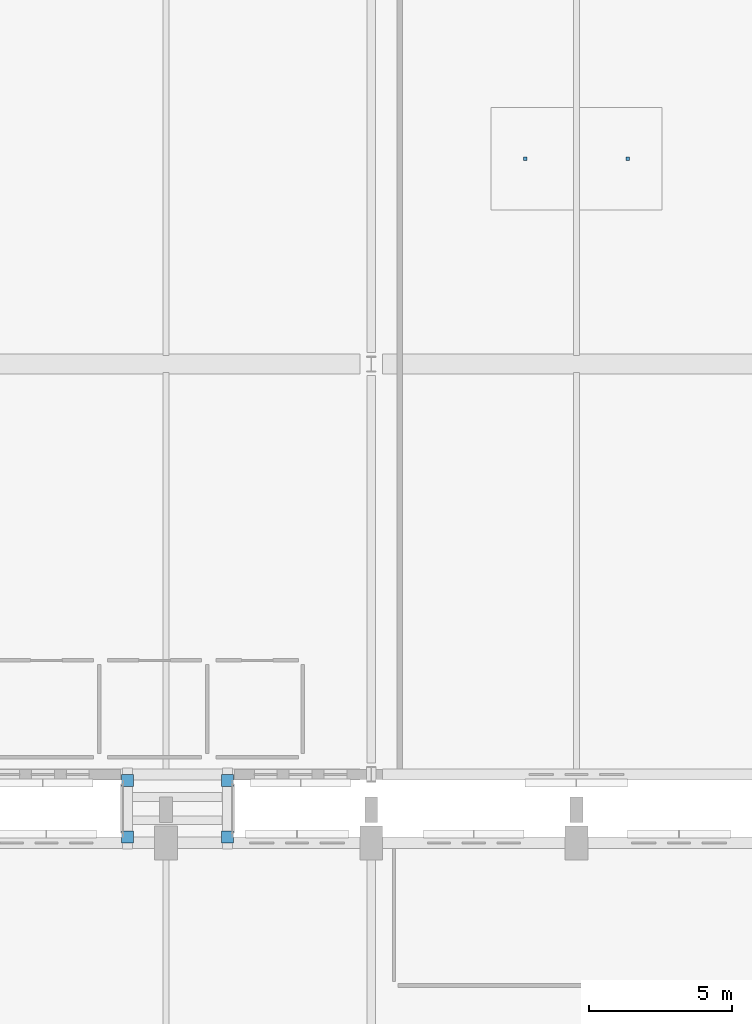
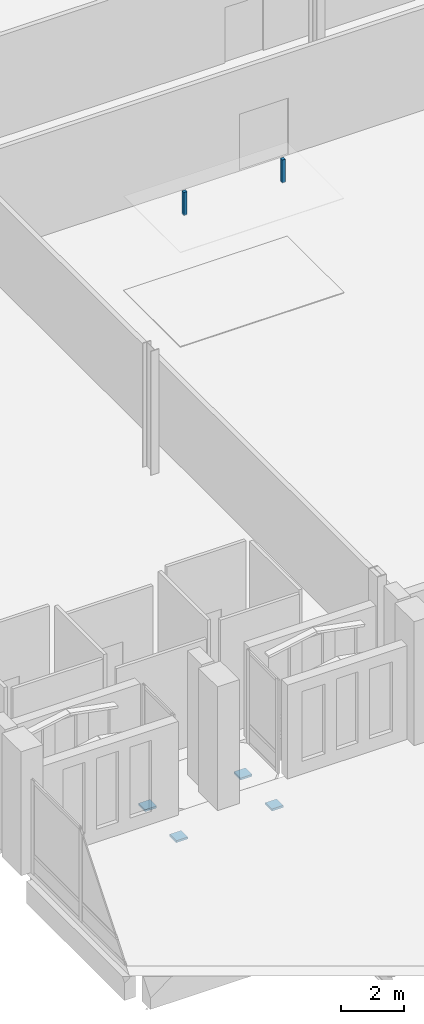
# One storey, part 182 of 220: 6 discrete accessories.
"""IFC4 building model written with IfcOpenShell, lengths in metres."""

from ifc_helpers import new_model, si_unit, direction, frame, origin, origin_2d, place, context, subcontext, project, spatial, rectangle, extrude, material, type_object, element, save


model = new_model("IFC4")

# Units and contexts
model_context = context("Model", 3, precision=1e-05, world=origin(), true_north=direction((0.0, 1.0)))
body_context = subcontext(model_context, "Body", "Model", "MODEL_VIEW")
ifc_project = project(units=[si_unit("LENGTHUNIT", "METRE"), si_unit("AREAUNIT", "SQUARE_METRE"), si_unit("VOLUMEUNIT", "CUBIC_METRE"), si_unit("PLANEANGLEUNIT", "RADIAN"), si_unit("MASSUNIT", "GRAM", prefix="KILO")], contexts=[model_context])

# Site, building, storey
site_placement = place(None, origin())
site = spatial("IfcSite", under=ifc_project, at=site_placement, CompositionType="ELEMENT")
building_placement = place(site_placement, origin())
building = spatial("IfcBuilding", under=site, at=building_placement, Name="Cendralis Lancet Convention Centre", CompositionType="ELEMENT")
storey_placement = place(building_placement, frame((0.0, 0.0, 5.39990234375)))
storey = spatial("IfcBuildingStorey", under=building, at=storey_placement, Name="L01", CompositionType="ELEMENT", Elevation=5.39990234375)

# Discrete accessories
ifc_material_1 = material(Name="Steel S355", Category="steel")
discrete_accessory_type_1 = type_object("IfcDiscreteAccessoryType", Name="ARC-BRK-CLG", PredefinedType="BRACKET", material=ifc_material_1)
for number, where, z_axis, x_axis, name in (
    (1, (159.0, 115.199951171875, 3.650390625), (0.0, 0.0, 1.0), (1.0, 0.0, 0.0), "L01 Ceiling Suspension Bracket #07-1"),
    (2, (162.60009765625, 115.199951171875, 3.650390625), (0.0, 0.0, 1.0), (1.0, 0.0, 0.0), "L01 Ceiling Suspension Bracket #07-2"),
):
    element("IfcDiscreteAccessory", number, at=place(storey_placement, frame(where, z_axis=z_axis, x_axis=x_axis)), inside=storey, type_object=discrete_accessory_type_1, Name=name, PredefinedType="BRACKET", context=body_context, shape_type="SweptSolid", body=[
        extrude(rectangle(XDim=0.1201171875, YDim=0.1201171875, at=origin_2d()), origin(), (0.0, 0.0, 1.0), 0.889892578125),
    ])
ifc_material_2 = material(Name="Elastomeric-PTFE sliding bridge bearing")
discrete_accessory_type_2 = type_object("IfcDiscreteAccessoryType", Name="STR-BRG-PTFE", PredefinedType="SHOE", material=ifc_material_2)
for number, where, z_axis, x_axis, name in (
    (3, (145.050048828125, 91.409912109375, -1.199951171875), (0.0, 0.0, 1.0), (1.0, 0.0, 0.0), "Unguided PTFE Sliding Bridge Bearing SB-PTFE #017"),
    (4, (145.050048828125, 93.389892578125, -1.199951171875), (0.0, 0.0, 1.0), (1.0, 0.0, 0.0), "Unguided PTFE Sliding Bridge Bearing SB-PTFE #018"),
    (5, (148.550048828125, 91.409912109375, -1.199951171875), (0.0, 0.0, 1.0), (1.0, 0.0, 0.0), "Unguided PTFE Sliding Bridge Bearing SB-PTFE #019"),
    (6, (148.550048828125, 93.389892578125, -1.199951171875), (0.0, 0.0, 1.0), (1.0, 0.0, 0.0), "Unguided PTFE Sliding Bridge Bearing SB-PTFE #020"),
):
    element("IfcDiscreteAccessory", number, at=place(storey_placement, frame(where, z_axis=z_axis, x_axis=x_axis)), inside=storey, type_object=discrete_accessory_type_2, Name=name, PredefinedType="SHOE", context=body_context, shape_type="SweptSolid", body=[
        extrude(rectangle(XDim=0.419921875, YDim=0.419921875, at=origin_2d()), origin(), (0.0, 0.0, 1.0), 0.080078125),
    ])

save(model, "model.ifc")
